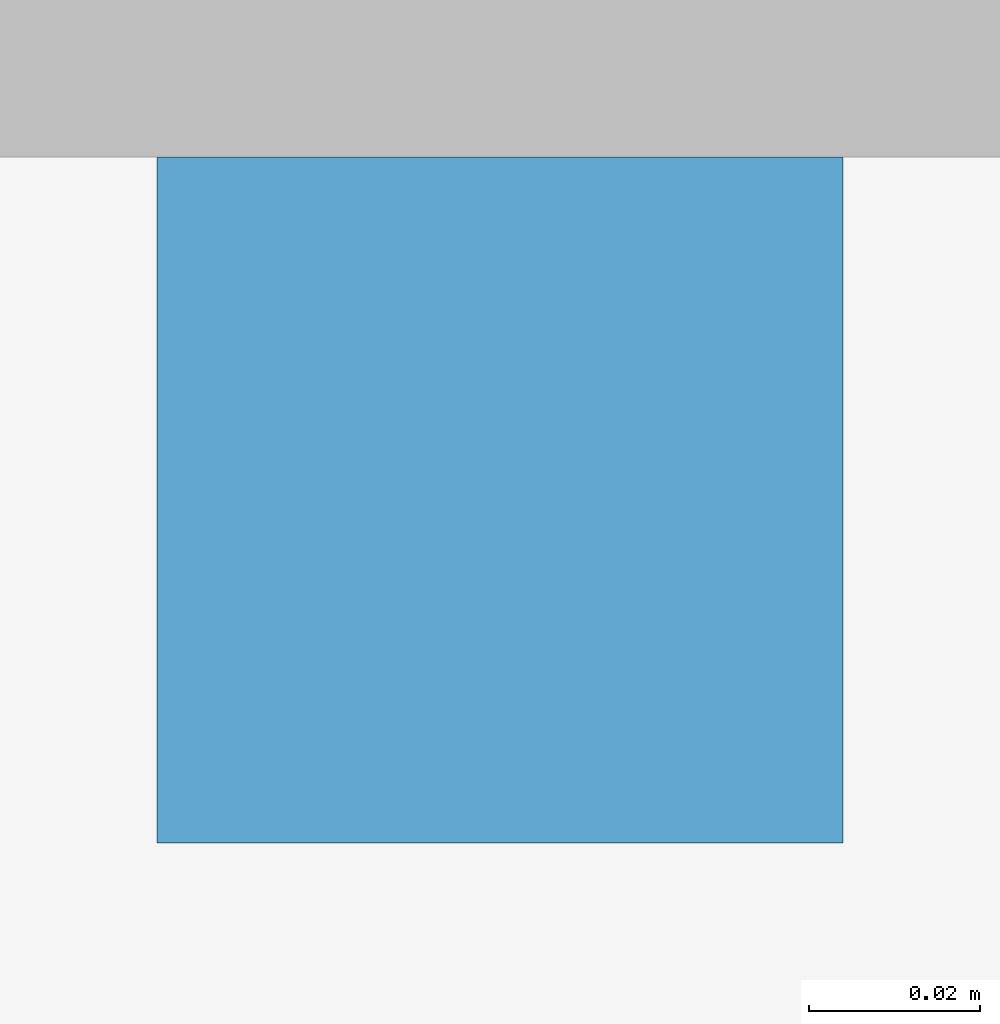
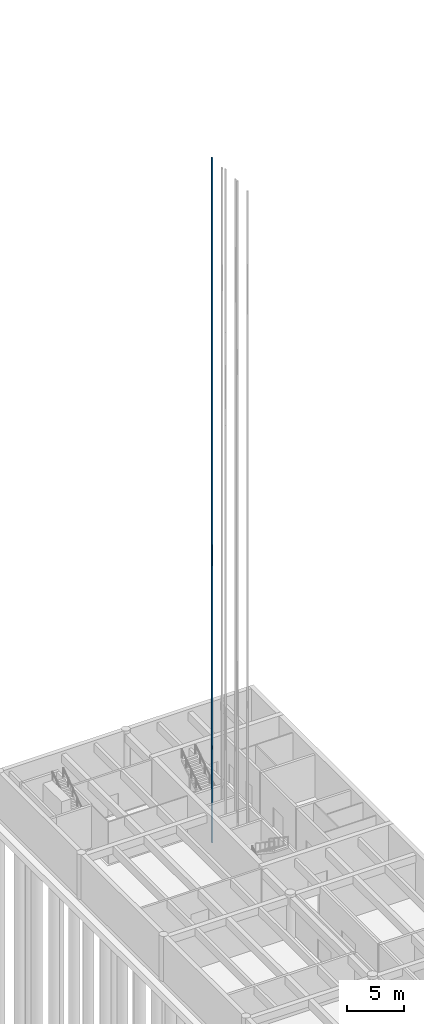
# One storey, part 14 of 24: 1 building element part.
"""IFC4 building model written with IfcOpenShell, lengths in metres."""

import ifcopenshell
import ifcopenshell.guid

model = None  # the IFC model being written
_history = None  # IfcOwnerHistory: only IFC2X3 demands one
_inside = {}  # id of a spatial element -> (the spatial element, [elements in it])
_under = {}  # id of a project, library or spatial element -> (it, [spatial elements below it])
_declared = {}  # id of a project -> (the project, [libraries it declares])
_typed = {}  # id of a type object -> (the type object, [elements of that type])
_made_of = {}  # id of a material, layer set ... -> (it, [elements and type objects made of it])


def new_model(schema):
    """Start an empty IFC model of exactly this schema.

    Asked for "IFC4X3", IfcOpenShell would pick the latest addendum, in which some entities
    have other attributes; the version numbers below select the first issue.
    IFC2X3 requires an IfcOwnerHistory on every rooted entity: one is made here for all.
    """
    global model, _history
    if schema == "IFC4X3":
        model = ifcopenshell.file(schema_version=(4, 3, 0, 0))
    else:
        model = ifcopenshell.file(schema=schema)
    _inside.clear()
    _under.clear()
    _declared.clear()
    _typed.clear()
    _made_of.clear()
    _history = None
    if model.schema == "IFC2X3":
        org = make("IfcOrganization", Name="unknown")
        user = make(
            "IfcPersonAndOrganization",
            ThePerson=make("IfcPerson", FamilyName="unknown"),
            TheOrganization=org,
        )
        app = make(
            "IfcApplication",
            ApplicationDeveloper=org,
            Version="unknown",
            ApplicationFullName="unknown",
            ApplicationIdentifier="unknown",
        )
        _history = make(
            "IfcOwnerHistory",
            OwningUser=user,
            OwningApplication=app,
            ChangeAction="ADDED",
            CreationDate=0,
        )
    return model


def make(cls, **values):
    """One entity of the class cls with the attributes given. An attribute that is None is left unset."""
    return model.create_entity(
        cls, **{name: value for name, value in values.items() if value is not None}
    )


def rooted(cls, **values):
    """An entity with a GlobalId (a new one), such as an element, a storey or a relation."""
    return make(cls, GlobalId=ifcopenshell.guid.new(), OwnerHistory=_history, **values)


def si_unit(unit_type, name, prefix=None):
    """IfcSIUnit, for example si_unit("LENGTHUNIT", "METRE", prefix="MILLI")."""
    return make("IfcSIUnit", UnitType=unit_type, Prefix=prefix, Name=name)


def assignment(units):
    """IfcUnitAssignment: the units of a project."""
    return None if units is None else make("IfcUnitAssignment", Units=units)


def point(xyz):
    """IfcCartesianPoint."""
    return None if xyz is None else make("IfcCartesianPoint", Coordinates=xyz)


def direction(xyz):
    """IfcDirection."""
    return None if xyz is None else make("IfcDirection", DirectionRatios=xyz)


def frame(location, z_axis=None, x_axis=None):
    """IfcAxis2Placement3D, a coordinate frame: its origin and axes. An axis left out is left unset."""
    return make(
        "IfcAxis2Placement3D",
        Location=point(location),
        Axis=direction(z_axis),
        RefDirection=direction(x_axis),
    )


def frame_2d(location, x_axis=None):
    """IfcAxis2Placement2D, a coordinate frame in the plane: its origin and x axis."""
    return make(
        "IfcAxis2Placement2D", Location=point(location), RefDirection=direction(x_axis)
    )


def origin():
    """The frame at (0, 0, 0) with its axes left unset."""
    return frame((0.0, 0.0, 0.0))


def origin_2d():
    """The frame at (0, 0) in the plane with its x axis left unset."""
    return frame_2d((0.0, 0.0))


def place(relative_to, where):
    """IfcLocalPlacement: puts the frame where relative to a parent placement (None: the world)."""
    return make(
        "IfcLocalPlacement", PlacementRelTo=relative_to, RelativePlacement=where
    )


def context(
    kind, dimensions, precision=None, world=None, true_north=None, identifier=None
):
    """IfcGeometricRepresentationContext, for example the 3D "Model" context."""
    return make(
        "IfcGeometricRepresentationContext",
        ContextIdentifier=identifier,
        ContextType=kind,
        CoordinateSpaceDimension=dimensions,
        Precision=precision,
        WorldCoordinateSystem=world,
        TrueNorth=true_north,
    )


def subcontext(parent, identifier, kind, view, scale=None):
    """IfcGeometricRepresentationSubContext, for example "Body" below "Model"."""
    return make(
        "IfcGeometricRepresentationSubContext",
        ContextIdentifier=identifier,
        ContextType=kind,
        ParentContext=parent,
        TargetScale=scale,
        TargetView=view,
    )


def project(units=None, contexts=None):
    """IfcProject with its units and contexts."""
    return rooted(
        "IfcProject",
        Name="project",
        RepresentationContexts=contexts,
        UnitsInContext=assignment(units),
    )


def spatial(cls, under=None, at=None, **own):
    """A site, building, storey or space (cls), placed at a placement, below another one or the project."""
    s = rooted(cls, ObjectPlacement=at, **own)
    if under is not None:
        _under.setdefault(under.id(), (under, []))[1].append(s)
    return s


def profile(cls, at=None, kind="AREA", **sizes):
    """A parametric profile (cls). Its sizes go by their IFC names, for example OverallWidth=200.0."""
    return make(cls, ProfileType=kind, Position=at, **sizes)


def rectangle(**sizes):
    """IfcRectangleProfileDef."""
    return profile("IfcRectangleProfileDef", **sizes)


def extrude(swept, where, along, depth):
    """IfcExtrudedAreaSolid: the profile swept, set in the frame where, extruded along a direction by depth."""
    return make(
        "IfcExtrudedAreaSolid",
        SweptArea=swept,
        Position=where,
        ExtrudedDirection=direction(along),
        Depth=depth,
    )


def shape(context_of_items, identifier, shape_type, items):
    """IfcShapeRepresentation: the items that make up one representation, for example the "Body"."""
    return make(
        "IfcShapeRepresentation",
        ContextOfItems=context_of_items,
        RepresentationIdentifier=identifier,
        RepresentationType=shape_type,
        Items=items,
    )


def made_of(thing, what):
    """Note that an element or type object is made of a material, layer set ...; save() writes the relation."""
    if what is not None:
        _made_of.setdefault(what.id(), (what, []))[1].append(thing)
    return thing


def element(
    cls,
    number,
    at=None,
    inside=None,
    cuts=None,
    type_object=None,
    material=None,
    context=None,
    identifier="Body",
    shape_type=None,
    held_by="IfcProductDefinitionShape",
    body=None,
    shapes=None,
    **own,
):
    """One element of the class cls, such as IfcWall. Its Tag is "e" and its number.

    at: its placement. inside: the storey or other place that contains it. cuts: it is an
    opening in that element (IfcRelVoidsElement). A single representation is given by context,
    identifier, shape_type and body (its items); several are given by shapes. held_by: the class
    of the entity that holds the representations. save() writes the other relations.
    """
    e = rooted(cls, Tag="e%d" % number, ObjectPlacement=at, **own)
    if body is not None:
        shapes = [shape(context, identifier, shape_type, body)]
    if shapes is not None:
        e.Representation = make(held_by, Representations=shapes)
    if inside is not None:
        _inside.setdefault(inside.id(), (inside, []))[1].append(e)
    if cuts is not None:
        rooted(
            "IfcRelVoidsElement", RelatingBuildingElement=cuts, RelatedOpeningElement=e
        )
    if type_object is not None:
        _typed.setdefault(type_object.id(), (type_object, []))[1].append(e)
    return made_of(e, material)


def aggregate(whole, parts):
    """IfcRelAggregates: a whole, such as a stair, and the parts it consists of."""
    return rooted("IfcRelAggregates", RelatingObject=whole, RelatedObjects=parts)


def save(model, path):
    """Write the relations noted so far, then the file.

    IfcRelAggregates (storeys below a building ...), IfcRelContainedInSpatialStructure (elements
    in a storey), IfcRelDefinesByType, IfcRelAssociatesMaterial and IfcRelDeclares: one each for
    every whole, place, type object, material and project.
    """
    for whole, parts in _under.values():
        aggregate(whole, parts)
    for where, things in _inside.values():
        rooted(
            "IfcRelContainedInSpatialStructure",
            RelatedElements=things,
            RelatingStructure=where,
        )
    for kind, things in _typed.values():
        rooted("IfcRelDefinesByType", RelatedObjects=things, RelatingType=kind)
    for what, things in _made_of.values():
        rooted("IfcRelAssociatesMaterial", RelatedObjects=things, RelatingMaterial=what)
    for by, libraries in _declared.values():
        rooted("IfcRelDeclares", RelatingContext=by, RelatedDefinitions=libraries)
    model.write(path)


model = new_model("IFC4")

# Units and contexts
model_context = context("Model", 3, precision=1e-05, world=origin(), true_north=direction((0.0, 1.0)))
body_context = subcontext(model_context, "Body", "Model", "MODEL_VIEW")
ifc_project = project(units=[si_unit("LENGTHUNIT", "METRE"), si_unit("AREAUNIT", "SQUARE_METRE"), si_unit("VOLUMEUNIT", "CUBIC_METRE"), si_unit("PLANEANGLEUNIT", "RADIAN"), si_unit("MASSUNIT", "GRAM", prefix="KILO")], contexts=[model_context])

# Site, building, storey
site_placement = place(None, origin())
site = spatial("IfcSite", under=ifc_project, at=site_placement, CompositionType="ELEMENT")
building_placement = place(site_placement, origin())
building = spatial("IfcBuilding", under=site, at=building_placement, Name="Fogon Plaza Fire Station and Headquarters Tower", CompositionType="ELEMENT")
storey_placement = place(building_placement, frame((0.0, 0.0, -4.800048828125)))
storey = spatial("IfcBuildingStorey", under=building, at=storey_placement, Name="B1", CompositionType="ELEMENT", Elevation=-4.800048828125)

# Building element part
building_element_part_placement = place(storey_placement, frame((14.925048828125, 46.18505859375, -1.19970703125), z_axis=(0.0, 0.0, 1.0), x_axis=(1.0, 0.0, 0.0)))
element("IfcBuildingElementPart", 1, at=building_element_part_placement, inside=storey, Name="Guide rail FL1 2", ObjectType="Guide rail", PredefinedType="USERDEFINED", context=body_context, shape_type="SweptSolid", body=[
    extrude(rectangle(XDim=0.080078125, YDim=0.080078125, at=origin_2d()), origin(), (0.0, 0.0, 1.0), 73.199951171875),
])

save(model, "model.ifc")
